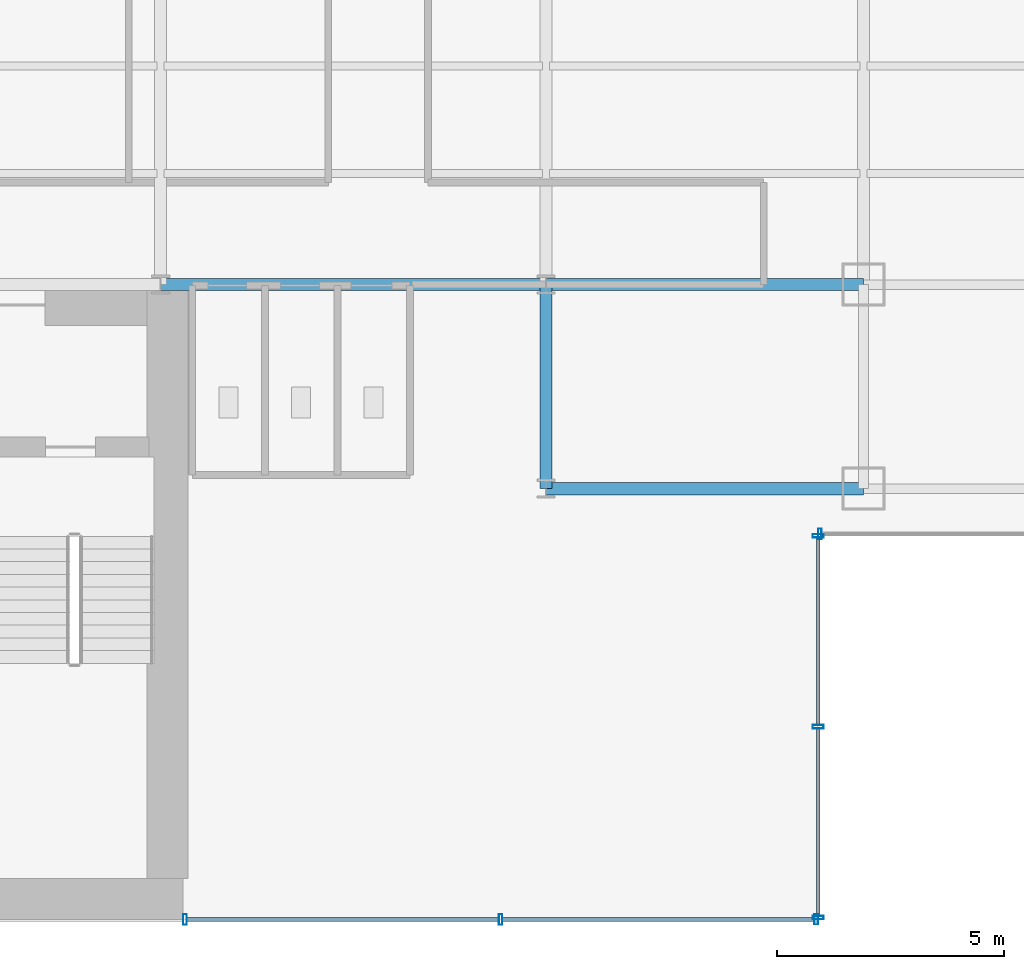
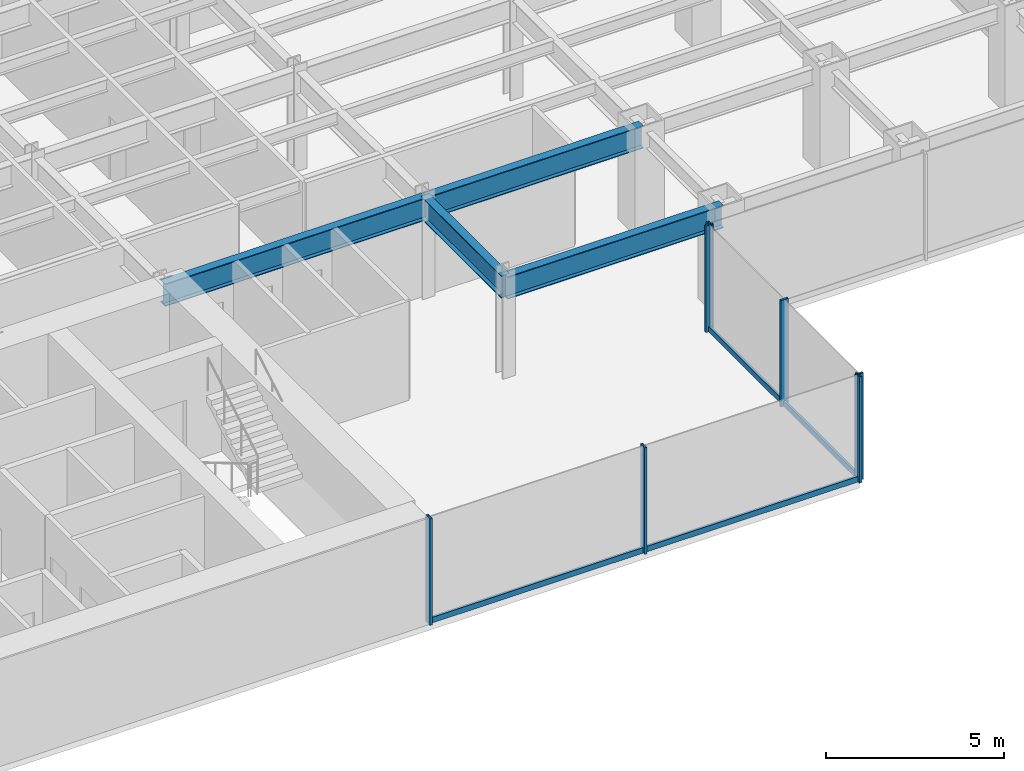
# One storey, part 6 of 22: 11 members, 4 beams, 3 elements without a shape of their own.
"""IFC4 building model written with IfcOpenShell, lengths in metres."""

import ifcopenshell
import ifcopenshell.guid

model = None  # the IFC model being written
_history = None  # IfcOwnerHistory: only IFC2X3 demands one
_inside = {}  # id of a spatial element -> (the spatial element, [elements in it])
_under = {}  # id of a project, library or spatial element -> (it, [spatial elements below it])
_declared = {}  # id of a project -> (the project, [libraries it declares])
_typed = {}  # id of a type object -> (the type object, [elements of that type])
_made_of = {}  # id of a material, layer set ... -> (it, [elements and type objects made of it])


def new_model(schema):
    """Start an empty IFC model of exactly this schema.

    Asked for "IFC4X3", IfcOpenShell would pick the latest addendum, in which some entities
    have other attributes; the version numbers below select the first issue.
    IFC2X3 requires an IfcOwnerHistory on every rooted entity: one is made here for all.
    """
    global model, _history
    if schema == "IFC4X3":
        model = ifcopenshell.file(schema_version=(4, 3, 0, 0))
    else:
        model = ifcopenshell.file(schema=schema)
    _inside.clear()
    _under.clear()
    _declared.clear()
    _typed.clear()
    _made_of.clear()
    _history = None
    if model.schema == "IFC2X3":
        org = make("IfcOrganization", Name="unknown")
        user = make(
            "IfcPersonAndOrganization",
            ThePerson=make("IfcPerson", FamilyName="unknown"),
            TheOrganization=org,
        )
        app = make(
            "IfcApplication",
            ApplicationDeveloper=org,
            Version="unknown",
            ApplicationFullName="unknown",
            ApplicationIdentifier="unknown",
        )
        _history = make(
            "IfcOwnerHistory",
            OwningUser=user,
            OwningApplication=app,
            ChangeAction="ADDED",
            CreationDate=0,
        )
    return model


def make(cls, **values):
    """One entity of the class cls with the attributes given. An attribute that is None is left unset."""
    return model.create_entity(
        cls, **{name: value for name, value in values.items() if value is not None}
    )


def rooted(cls, **values):
    """An entity with a GlobalId (a new one), such as an element, a storey or a relation."""
    return make(cls, GlobalId=ifcopenshell.guid.new(), OwnerHistory=_history, **values)


def si_unit(unit_type, name, prefix=None):
    """IfcSIUnit, for example si_unit("LENGTHUNIT", "METRE", prefix="MILLI")."""
    return make("IfcSIUnit", UnitType=unit_type, Prefix=prefix, Name=name)


def derived_unit(unit_type, elements):
    """IfcDerivedUnit: a product of units, each with its exponent."""
    return make(
        "IfcDerivedUnit",
        Elements=[
            make("IfcDerivedUnitElement", Unit=unit, Exponent=power)
            for unit, power in elements
        ],
        UnitType=unit_type,
    )


def assignment(units):
    """IfcUnitAssignment: the units of a project."""
    return None if units is None else make("IfcUnitAssignment", Units=units)


def point(xyz):
    """IfcCartesianPoint."""
    return None if xyz is None else make("IfcCartesianPoint", Coordinates=xyz)


def direction(xyz):
    """IfcDirection."""
    return None if xyz is None else make("IfcDirection", DirectionRatios=xyz)


def frame(location, z_axis=None, x_axis=None):
    """IfcAxis2Placement3D, a coordinate frame: its origin and axes. An axis left out is left unset."""
    return make(
        "IfcAxis2Placement3D",
        Location=point(location),
        Axis=direction(z_axis),
        RefDirection=direction(x_axis),
    )


def frame_2d(location, x_axis=None):
    """IfcAxis2Placement2D, a coordinate frame in the plane: its origin and x axis."""
    return make(
        "IfcAxis2Placement2D", Location=point(location), RefDirection=direction(x_axis)
    )


def origin():
    """The frame at (0, 0, 0) with its axes left unset."""
    return frame((0.0, 0.0, 0.0))


def origin_2d():
    """The frame at (0, 0) in the plane with its x axis left unset."""
    return frame_2d((0.0, 0.0))


def place(relative_to, where):
    """IfcLocalPlacement: puts the frame where relative to a parent placement (None: the world)."""
    return make(
        "IfcLocalPlacement", PlacementRelTo=relative_to, RelativePlacement=where
    )


def context(
    kind, dimensions, precision=None, world=None, true_north=None, identifier=None
):
    """IfcGeometricRepresentationContext, for example the 3D "Model" context."""
    return make(
        "IfcGeometricRepresentationContext",
        ContextIdentifier=identifier,
        ContextType=kind,
        CoordinateSpaceDimension=dimensions,
        Precision=precision,
        WorldCoordinateSystem=world,
        TrueNorth=true_north,
    )


def subcontext(parent, identifier, kind, view, scale=None):
    """IfcGeometricRepresentationSubContext, for example "Body" below "Model"."""
    return make(
        "IfcGeometricRepresentationSubContext",
        ContextIdentifier=identifier,
        ContextType=kind,
        ParentContext=parent,
        TargetScale=scale,
        TargetView=view,
    )


def project(units=None, contexts=None):
    """IfcProject with its units and contexts."""
    return rooted(
        "IfcProject",
        Name="project",
        RepresentationContexts=contexts,
        UnitsInContext=assignment(units),
    )


def spatial(cls, under=None, at=None, **own):
    """A site, building, storey or space (cls), placed at a placement, below another one or the project."""
    s = rooted(cls, ObjectPlacement=at, **own)
    if under is not None:
        _under.setdefault(under.id(), (under, []))[1].append(s)
    return s


def profile(cls, at=None, kind="AREA", **sizes):
    """A parametric profile (cls). Its sizes go by their IFC names, for example OverallWidth=200.0."""
    return make(cls, ProfileType=kind, Position=at, **sizes)


def hollow_rectangle(**sizes):
    """IfcRectangleHollowProfileDef."""
    return profile("IfcRectangleHollowProfileDef", **sizes)


def i_section(**sizes):
    """IfcIShapeProfileDef."""
    return profile("IfcIShapeProfileDef", **sizes)


def extrude(swept, where, along, depth):
    """IfcExtrudedAreaSolid: the profile swept, set in the frame where, extruded along a direction by depth."""
    return make(
        "IfcExtrudedAreaSolid",
        SweptArea=swept,
        Position=where,
        ExtrudedDirection=direction(along),
        Depth=depth,
    )


def shape(context_of_items, identifier, shape_type, items):
    """IfcShapeRepresentation: the items that make up one representation, for example the "Body"."""
    return make(
        "IfcShapeRepresentation",
        ContextOfItems=context_of_items,
        RepresentationIdentifier=identifier,
        RepresentationType=shape_type,
        Items=items,
    )


def source(mapping_origin, context_of_items, identifier, shape_type, items):
    """IfcRepresentationMap: a shape defined once, which mapped items show again and again."""
    return make(
        "IfcRepresentationMap",
        MappingOrigin=mapping_origin,
        MappedRepresentation=shape(context_of_items, identifier, shape_type, items),
    )


def transform(
    local_origin,
    x_axis=None,
    y_axis=None,
    z_axis=None,
    scale=None,
    scale2=None,
    scale3=None,
    uniform=True,
):
    """IfcCartesianTransformationOperator3D, or its non-uniform kind. x_axis, y_axis, z_axis: its Axis1, 2, 3."""
    if uniform:
        return make(
            "IfcCartesianTransformationOperator3D",
            Axis1=direction(x_axis),
            Axis2=direction(y_axis),
            LocalOrigin=point(local_origin),
            Scale=scale,
            Axis3=direction(z_axis),
        )
    return make(
        "IfcCartesianTransformationOperator3DnonUniform",
        Axis1=direction(x_axis),
        Axis2=direction(y_axis),
        LocalOrigin=point(local_origin),
        Scale=scale,
        Axis3=direction(z_axis),
        Scale2=scale2,
        Scale3=scale3,
    )


def mapped(mapping_source, mapping_target):
    """IfcMappedItem: shows the shape of a source again, moved by a transform."""
    return make(
        "IfcMappedItem", MappingSource=mapping_source, MappingTarget=mapping_target
    )


def material(Name=None, Category=None):
    """IfcMaterial."""
    return make("IfcMaterial", Name=Name, Category=Category)


def material_profile(
    of_material, cross_section, Name=None, Category=None, Priority=None
):
    """IfcMaterialProfile: a cross section and its material."""
    return make(
        "IfcMaterialProfile",
        Name=Name,
        Material=of_material,
        Profile=cross_section,
        Priority=Priority,
        Category=Category,
    )


def profile_set(profiles, Name=None, composite=None):
    """IfcMaterialProfileSet."""
    return make(
        "IfcMaterialProfileSet",
        Name=Name,
        MaterialProfiles=profiles,
        CompositeProfile=composite,
    )


def made_of(thing, what):
    """Note that an element or type object is made of a material, layer set ...; save() writes the relation."""
    if what is not None:
        _made_of.setdefault(what.id(), (what, []))[1].append(thing)
    return thing


def type_object(cls, material=None, **own):
    """A type object (cls), such as IfcWallType, which elements share."""
    return made_of(rooted(cls, **own), material)


def element(
    cls,
    number,
    at=None,
    inside=None,
    cuts=None,
    type_object=None,
    material=None,
    context=None,
    identifier="Body",
    shape_type=None,
    held_by="IfcProductDefinitionShape",
    body=None,
    shapes=None,
    **own,
):
    """One element of the class cls, such as IfcWall. Its Tag is "e" and its number.

    at: its placement. inside: the storey or other place that contains it. cuts: it is an
    opening in that element (IfcRelVoidsElement). A single representation is given by context,
    identifier, shape_type and body (its items); several are given by shapes. held_by: the class
    of the entity that holds the representations. save() writes the other relations.
    """
    e = rooted(cls, Tag="e%d" % number, ObjectPlacement=at, **own)
    if body is not None:
        shapes = [shape(context, identifier, shape_type, body)]
    if shapes is not None:
        e.Representation = make(held_by, Representations=shapes)
    if inside is not None:
        _inside.setdefault(inside.id(), (inside, []))[1].append(e)
    if cuts is not None:
        rooted(
            "IfcRelVoidsElement", RelatingBuildingElement=cuts, RelatedOpeningElement=e
        )
    if type_object is not None:
        _typed.setdefault(type_object.id(), (type_object, []))[1].append(e)
    return made_of(e, material)


def aggregate(whole, parts):
    """IfcRelAggregates: a whole, such as a stair, and the parts it consists of."""
    return rooted("IfcRelAggregates", RelatingObject=whole, RelatedObjects=parts)


def save(model, path):
    """Write the relations noted so far, then the file.

    IfcRelAggregates (storeys below a building ...), IfcRelContainedInSpatialStructure (elements
    in a storey), IfcRelDefinesByType, IfcRelAssociatesMaterial and IfcRelDeclares: one each for
    every whole, place, type object, material and project.
    """
    for whole, parts in _under.values():
        aggregate(whole, parts)
    for where, things in _inside.values():
        rooted(
            "IfcRelContainedInSpatialStructure",
            RelatedElements=things,
            RelatingStructure=where,
        )
    for kind, things in _typed.values():
        rooted("IfcRelDefinesByType", RelatedObjects=things, RelatingType=kind)
    for what, things in _made_of.values():
        rooted("IfcRelAssociatesMaterial", RelatedObjects=things, RelatingMaterial=what)
    for by, libraries in _declared.values():
        rooted("IfcRelDeclares", RelatingContext=by, RelatedDefinitions=libraries)
    model.write(path)


model = new_model("IFC4")

# Units and contexts
model_context = context("Model", 3, precision=1e-05, world=origin(), true_north=direction((0.0, 1.0)))
body_context = subcontext(model_context, "Body", "Model", "MODEL_VIEW")
ifc_project = project(units=[si_unit("LENGTHUNIT", "METRE"), si_unit("AREAUNIT", "SQUARE_METRE"), si_unit("VOLUMEUNIT", "CUBIC_METRE"), si_unit("PLANEANGLEUNIT", "RADIAN"), si_unit("MASSUNIT", "GRAM", prefix="KILO"), derived_unit("THERMALTRANSMITTANCEUNIT", [(si_unit("POWERUNIT", "WATT"), 1), (si_unit("LENGTHUNIT", "METRE"), -2), (si_unit("THERMODYNAMICTEMPERATUREUNIT", "KELVIN"), -1)])], contexts=[model_context])

# Site, building, storey
site_placement = place(None, origin())
site = spatial("IfcSite", under=ifc_project, at=site_placement, CompositionType="ELEMENT")
building_placement = place(site_placement, origin())
building = spatial("IfcBuilding", under=site, at=building_placement, Name="Skarnbrae Concourse Arena and Tower", CompositionType="ELEMENT")
storey_placement = place(building_placement, frame((0.0, 0.0, 72.64990234375)))
storey = spatial("IfcBuildingStorey", under=building, at=storey_placement, Name="L17", CompositionType="ELEMENT", Elevation=72.64990234375)

# Beams
ifc_material_1 = material(Name="Steel CSA G40.21 350W", Category="steel")
ifc_material_profile_1 = material_profile(ifc_material_1, i_section(OverallWidth=0.26806640625, OverallDepth=0.77001953125, WebThickness=0.015625, FlangeThickness=0.025390625, at=origin_2d()), Name="W760X196")
ifc_profile_set_1 = profile_set([ifc_material_profile_1], Name="Steel CSA G40.21 350W")
beam_type = type_object("IfcBeamType", Name="BM-GIRD-W760X196", PredefinedType="BEAM", material=ifc_profile_set_1)
shared_shape_1 = source(origin(), body_context, "Body", "SweptSolid", [
    extrude(i_section(OverallWidth=0.26806640625, OverallDepth=0.77001953125, WebThickness=0.015625, FlangeThickness=0.025390625, at=origin_2d()), origin(), (0.0, 0.0, 1.0), 7.0),
])
for number, where, z_axis, x_axis, name in (
    (1, (42.0, 9.5, 3.01513671875), (1.0, 0.0, 0.0), (0.0, 1.0, 0.0), "L17 Primary E-W girder Y9.5-2"),
    (2, (42.0, 14.0, 3.01513671875), (1.0, 0.0, 0.0), (0.0, 1.0, 0.0), "L17 Primary E-W girder Y14.0-7"),
):
    element("IfcBeam", number, at=place(storey_placement, frame(where, z_axis=z_axis, x_axis=x_axis)), inside=storey, type_object=beam_type, Name=name, PredefinedType="BEAM", context=body_context, shape_type="MappedRepresentation", body=[
        mapped(shared_shape_1, transform((0.0, 0.0, 0.0))),
    ])
shared_shape_2 = source(origin(), body_context, "Body", "SweptSolid", [
    extrude(i_section(OverallWidth=0.26806640625, OverallDepth=0.77001953125, WebThickness=0.015625, FlangeThickness=0.025390625, at=origin_2d()), origin(), (0.0, 0.0, 1.0), 8.5),
])
beam_1_placement = place(storey_placement, frame((33.5, 14.0, 3.01513671875), z_axis=(1.0, 0.0, 0.0), x_axis=(0.0, 1.0, 0.0)))
element("IfcBeam", 3, at=beam_1_placement, inside=storey, type_object=beam_type, Name="L17 Primary E-W girder Y14.0-6", PredefinedType="BEAM", context=body_context, shape_type="MappedRepresentation", body=[
    mapped(shared_shape_2, transform((0.0, 0.0, 0.0))),
])
shared_shape_3 = source(origin(), body_context, "Body", "SweptSolid", [
    extrude(i_section(OverallWidth=0.26806640625, OverallDepth=0.77001953125, WebThickness=0.015625, FlangeThickness=0.025390625, at=origin_2d()), origin(), (0.0, 0.0, 1.0), 4.5),
])
beam_2_placement = place(storey_placement, frame((42.0, 9.5, 3.01513671875), z_axis=(0.0, 1.0, 0.0), x_axis=(-1.0, 0.0, 0.0)))
element("IfcBeam", 4, at=beam_2_placement, inside=storey, type_object=beam_type, Name="L17 Primary N-S girder X42.0-1", PredefinedType="BEAM", context=body_context, shape_type="MappedRepresentation", body=[
    mapped(shared_shape_3, transform((0.0, 0.0, 0.0))),
])

# Curtain wall, members
ifc_material_2 = material(Name="Bronze anodised aluminium 6063-T6", Category="aluminium")
curtain_wall_type = type_object("IfcCurtainWallType", Name="CW-SYS-02-LOWZONE", PredefinedType="USERDEFINED", material=ifc_material_2)
curtain_wall_1_placement = place(storey_placement, origin())
curtain_wall_1 = element("IfcCurtainWall", 5, at=curtain_wall_1_placement, inside=storey, type_object=curtain_wall_type, Name="L17 Unitised curtain wall CW-L17-SE-SPINE", ObjectType="UNITISED CURTAIN WALL", PredefinedType="USERDEFINED")
ifc_material_profile_2 = material_profile(ifc_material_2, hollow_rectangle(XDim=0.080078125, YDim=0.18994140625, WallThickness=0.0048828125, at=origin_2d()), Name="ALU-TRAN-80X190")
ifc_profile_set_2 = profile_set([ifc_material_profile_2], Name="Bronze anodised aluminium 6063-T6")
member_type_1 = type_object("IfcMemberType", Name="CWT-CW-02", PredefinedType="USERDEFINED", material=ifc_profile_set_2)
shared_shape_4 = source(origin(), body_context, "Body", "SweptSolid", [
    extrude(hollow_rectangle(XDim=0.080078125, YDim=0.18994140625, WallThickness=0.0048828125, at=origin_2d()), origin(), (0.0, 0.0, 1.0), 6.8798828125),
])
member_1_placement = place(storey_placement, frame((34.080078125, 0.0, 0.09521484375), z_axis=(1.0, 0.0, 0.0), x_axis=(0.0, 1.0, 0.0)))
member_1 = element("IfcMember", 6, at=member_1_placement, type_object=member_type_1, Name="CW-L17-SE-SPINE Transom 1", ObjectType="TRANSOM", PredefinedType="USERDEFINED", context=body_context, shape_type="MappedRepresentation", body=[
    mapped(shared_shape_4, transform((0.0, 0.0, 0.0))),
])
member_2_placement = place(storey_placement, frame((41.0400390625, 0.0, 0.09521484375), z_axis=(1.0, 0.0, 0.0), x_axis=(0.0, 1.0, 0.0)))
member_2 = element("IfcMember", 7, at=member_2_placement, type_object=member_type_1, Name="CW-L17-SE-SPINE Transom 2", ObjectType="TRANSOM", PredefinedType="USERDEFINED", context=body_context, shape_type="MappedRepresentation", body=[
    mapped(shared_shape_4, transform((0.0, 0.0, 0.0))),
])

curtain_wall_2_placement = place(storey_placement, origin())
curtain_wall_2 = element("IfcCurtainWall", 8, at=curtain_wall_2_placement, inside=storey, type_object=curtain_wall_type, Name="L17 Unitised curtain wall CW-L17-E02", ObjectType="UNITISED CURTAIN WALL", PredefinedType="USERDEFINED")
shared_shape_5 = source(origin(), body_context, "Body", "SweptSolid", [
    extrude(hollow_rectangle(XDim=0.080078125, YDim=0.18994140625, WallThickness=0.0048828125, at=origin_2d()), origin(), (0.0, 0.0, 1.0), 4.1298828125),
])
member_3_placement = place(storey_placement, frame((48.0, 0.080078125, 0.09521484375), z_axis=(0.0, 1.0, 0.0), x_axis=(-1.0, 0.0, 0.0)))
member_3 = element("IfcMember", 9, at=member_3_placement, type_object=member_type_1, Name="CW-L17-E02 Transom 1", ObjectType="TRANSOM", PredefinedType="USERDEFINED", context=body_context, shape_type="MappedRepresentation", body=[
    mapped(shared_shape_5, transform((0.0, 0.0, 0.0))),
])
member_4_placement = place(storey_placement, frame((48.0, 4.2900390625, 0.09521484375), z_axis=(0.0, 1.0, 0.0), x_axis=(-1.0, 0.0, 0.0)))
member_4 = element("IfcMember", 10, at=member_4_placement, type_object=member_type_1, Name="CW-L17-E02 Transom 2", ObjectType="TRANSOM", PredefinedType="USERDEFINED", context=body_context, shape_type="MappedRepresentation", body=[
    mapped(shared_shape_5, transform((0.0, 0.0, 0.0))),
])

# Member
ifc_material_profile_3 = material_profile(ifc_material_2, hollow_rectangle(XDim=0.080078125, YDim=0.239990234375, WallThickness=0.0048828125, at=origin_2d()), Name="ALU-MULL-80X240")
ifc_profile_set_3 = profile_set([ifc_material_profile_3], Name="Bronze anodised aluminium 6063-T6")
member_type_2 = type_object("IfcMemberType", Name="CWM-CW-02", PredefinedType="MULLION", material=ifc_profile_set_3)
shared_shape_6 = source(origin(), body_context, "Body", "SweptSolid", [
    extrude(hollow_rectangle(XDim=0.080078125, YDim=0.239990234375, WallThickness=0.0048828125, at=origin_2d()), origin(), (0.0, 0.0, 1.0), 3.650146484375),
])
member_5_placement = place(storey_placement, frame((34.0400390625, 0.0, 0.0), z_axis=(0.0, 0.0, 1.0), x_axis=(1.0, 0.0, 0.0)))
member_5 = element("IfcMember", 11, at=member_5_placement, type_object=member_type_2, Name="CW-L17-SE-SPINE Mullion 1", PredefinedType="MULLION", context=body_context, shape_type="MappedRepresentation", body=[
    mapped(shared_shape_6, transform((0.0, 0.0, 0.0))),
])

member_6_placement = place(storey_placement, frame((41.0, 0.0, 0.0), z_axis=(0.0, 0.0, 1.0), x_axis=(1.0, 0.0, 0.0)))
member_6 = element("IfcMember", 12, at=member_6_placement, type_object=member_type_2, Name="CW-L17-SE-SPINE Mullion 2", PredefinedType="MULLION", context=body_context, shape_type="MappedRepresentation", body=[
    mapped(shared_shape_6, transform((0.0, 0.0, 0.0))),
])

member_7_placement = place(storey_placement, frame((47.9599609375, 0.0, 0.0), z_axis=(0.0, 0.0, 1.0), x_axis=(1.0, 0.0, 0.0)))
member_7 = element("IfcMember", 13, at=member_7_placement, type_object=member_type_2, Name="CW-L17-SE-SPINE Mullion 3", PredefinedType="MULLION", context=body_context, shape_type="MappedRepresentation", body=[
    mapped(shared_shape_6, transform((0.0, 0.0, 0.0))),
])

aggregate(curtain_wall_1, [member_5, member_6, member_7, member_1, member_2])

member_8_placement = place(storey_placement, frame((48.0, 0.0400390625, 0.0), z_axis=(0.0, 0.0, 1.0), x_axis=(0.0, 1.0, 0.0)))
member_8 = element("IfcMember", 14, at=member_8_placement, type_object=member_type_2, Name="CW-L17-E02 Mullion 1", PredefinedType="MULLION", context=body_context, shape_type="MappedRepresentation", body=[
    mapped(shared_shape_6, transform((0.0, 0.0, 0.0))),
])

member_9_placement = place(storey_placement, frame((48.0, 4.25, 0.0), z_axis=(0.0, 0.0, 1.0), x_axis=(0.0, 1.0, 0.0)))
member_9 = element("IfcMember", 15, at=member_9_placement, type_object=member_type_2, Name="CW-L17-E02 Mullion 2", PredefinedType="MULLION", context=body_context, shape_type="MappedRepresentation", body=[
    mapped(shared_shape_6, transform((0.0, 0.0, 0.0))),
])

member_10_placement = place(storey_placement, frame((48.0, 8.4599609375, 0.0), z_axis=(0.0, 0.0, 1.0), x_axis=(0.0, 1.0, 0.0)))
member_10 = element("IfcMember", 16, at=member_10_placement, type_object=member_type_2, Name="CW-L17-E02 Mullion 3", PredefinedType="MULLION", context=body_context, shape_type="MappedRepresentation", body=[
    mapped(shared_shape_6, transform((0.0, 0.0, 0.0))),
])

aggregate(curtain_wall_2, [member_8, member_9, member_10, member_3, member_4])

# Curtain wall, member
curtain_wall_3_placement = place(storey_placement, origin())
curtain_wall_3 = element("IfcCurtainWall", 17, at=curtain_wall_3_placement, inside=storey, type_object=curtain_wall_type, Name="L17 Unitised curtain wall CW-L17-E03", ObjectType="UNITISED CURTAIN WALL", PredefinedType="USERDEFINED")
member_11_placement = place(storey_placement, frame((48.0400390625, 8.5, 0.0), z_axis=(0.0, 0.0, 1.0), x_axis=(1.0, 0.0, 0.0)))
member_11 = element("IfcMember", 18, at=member_11_placement, type_object=member_type_2, Name="CW-L17-E03 Mullion 1", PredefinedType="MULLION", context=body_context, shape_type="MappedRepresentation", body=[
    mapped(shared_shape_6, transform((0.0, 0.0, 0.0))),
])
aggregate(curtain_wall_3, [member_11])

save(model, "model.ifc")
